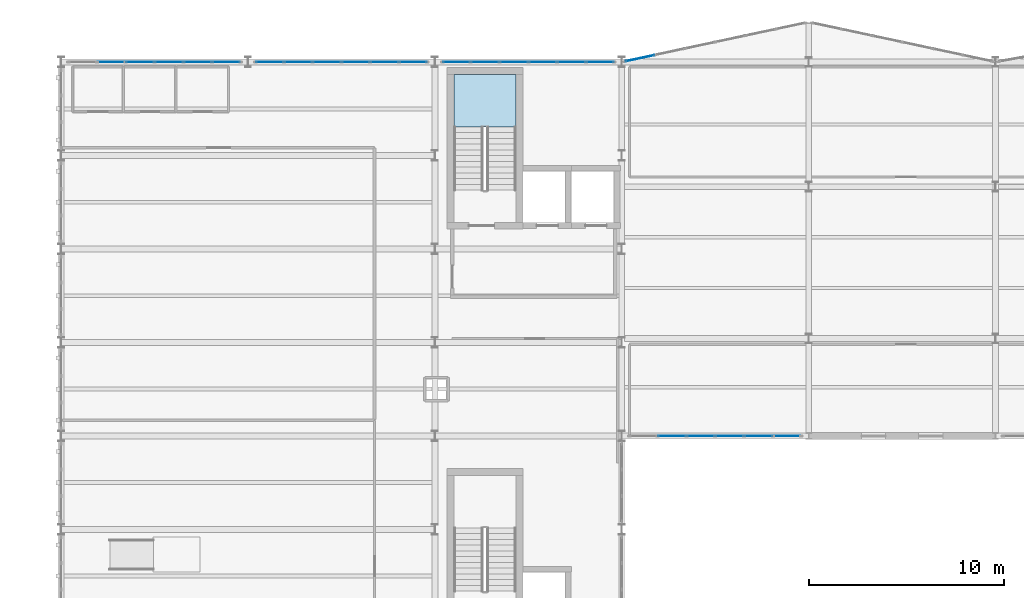
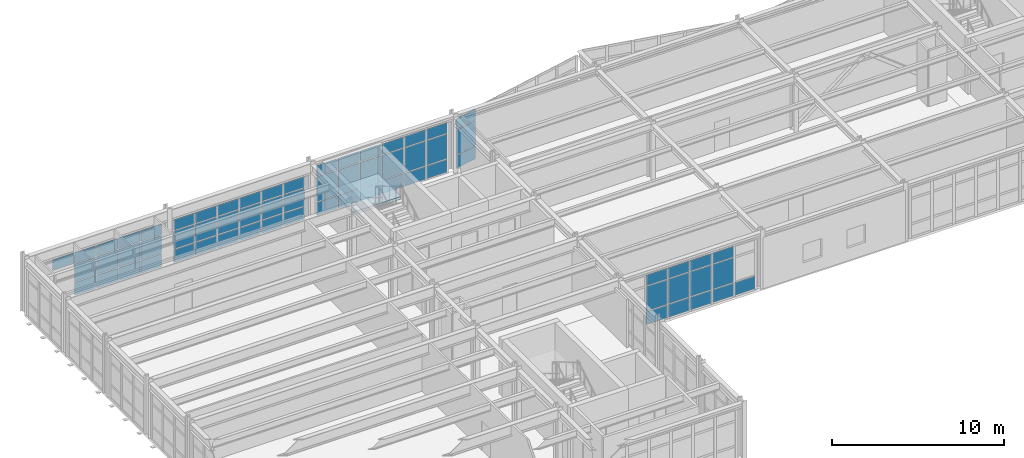
# One storey, part 52 of 76: 65 plates, 1 slab, 6 elements without a shape of their own.
"""IFC4 building model written with IfcOpenShell, lengths in metres."""

from ifc_helpers import new_model, si_unit, direction, frame, origin, origin_2d, place, context, subcontext, project, spatial, polyline, rectangle, outline, extrude, material, layer, layer_set, type_object, element, aggregate, save


model = new_model("IFC4")

# Units and contexts
model_context = context("Model", 3, precision=1e-05, world=origin(), true_north=direction((0.0, 1.0)))
body_context = subcontext(model_context, "Body", "Model", "MODEL_VIEW")
ifc_project = project(units=[si_unit("LENGTHUNIT", "METRE"), si_unit("AREAUNIT", "SQUARE_METRE"), si_unit("VOLUMEUNIT", "CUBIC_METRE"), si_unit("PLANEANGLEUNIT", "RADIAN"), si_unit("MASSUNIT", "GRAM", prefix="KILO")], contexts=[model_context])

# Site, building, storey
site_placement = place(None, origin())
site = spatial("IfcSite", under=ifc_project, at=site_placement, CompositionType="ELEMENT")
building_placement = place(site_placement, origin())
building = spatial("IfcBuilding", under=site, at=building_placement, Name="Nordkorset Police Headquarters", CompositionType="ELEMENT")
storey_placement = place(building_placement, frame((0.0, 0.0, 13.64990234375)))
storey = spatial("IfcBuildingStorey", under=building, at=storey_placement, Name="L03", CompositionType="ELEMENT", Elevation=13.64990234375)

# Curtain wall, plates
ifc_material_1 = material(Name="Aluminium alloy AW-6060", Category="aluminium")
ifc_layer_1 = layer(ifc_material_1, 0.179931640625, Name="Aluminium alloy AW-6060")
ifc_layer_set_1 = layer_set([ifc_layer_1], Name="Aluminium alloy AW-6060")
curtain_wall_type_1 = type_object("IfcCurtainWallType", Name="CW_Unit_888x316", PredefinedType="USERDEFINED", material=ifc_layer_set_1)
curtain_wall_1_placement = place(storey_placement, origin())
curtain_wall_1 = element("IfcCurtainWall", 1, at=curtain_wall_1_placement, inside=storey, type_object=curtain_wall_type_1, Name="Unitised Curtain Wall L03 V1N-0", ObjectType="UNITISED CURTAIN WALL", PredefinedType="USERDEFINED")
ifc_material_2 = material(Name="Low-iron triple glazing", Category="glass")
ifc_layer_2 = layer(ifc_material_2, 0.035888671875, Name="Low-iron triple glazing")
ifc_layer_set_2 = layer_set([ifc_layer_2], Name="Low-iron triple glazing")
plate_type = type_object("IfcPlateType", Name="CW_Panel_TripleGlazing_36", PredefinedType="CURTAIN_PANEL", material=ifc_layer_set_2)
plate_1_placement = place(storey_placement, frame((2.580078125, 116.800048828125, 2.342529296875), z_axis=(0.0, 0.0, 1.0), x_axis=(1.0, 0.0, 0.0)))
plate_1 = element("IfcPlate", 2, at=plate_1_placement, type_object=plate_type, Name="CW-109 panel 2.3", PredefinedType="CURTAIN_PANEL", context=body_context, shape_type="SweptSolid", body=[
    extrude(rectangle(XDim=1.4150390625, YDim=0.035888671875, at=origin_2d()), origin(), (0.0, 0.0, 1.0), 0.75244140625),
])
plate_2_placement = place(storey_placement, frame((4.06005859375, 116.800048828125, 0.06494140625), z_axis=(0.0, 0.0, 1.0), x_axis=(1.0, 0.0, 0.0)))
plate_2 = element("IfcPlate", 3, at=plate_2_placement, type_object=plate_type, Name="CW-109 panel 3.1", PredefinedType="CURTAIN_PANEL", context=body_context, shape_type="SweptSolid", body=[
    extrude(rectangle(XDim=1.4150390625, YDim=0.035888671875, at=origin_2d()), origin(), (0.0, 0.0, 1.0), 0.902587890625),
])
plate_3_placement = place(storey_placement, frame((4.06005859375, 116.800048828125, 1.032470703125), z_axis=(0.0, 0.0, 1.0), x_axis=(1.0, 0.0, 0.0)))
plate_3 = element("IfcPlate", 4, at=plate_3_placement, type_object=plate_type, Name="CW-109 panel 3.2", PredefinedType="CURTAIN_PANEL", context=body_context, shape_type="SweptSolid", body=[
    extrude(rectangle(XDim=1.4150390625, YDim=0.035888671875, at=origin_2d()), origin(), (0.0, 0.0, 1.0), 1.2451171875),
])
plate_4_placement = place(storey_placement, frame((4.06005859375, 116.800048828125, 2.342529296875), z_axis=(0.0, 0.0, 1.0), x_axis=(1.0, 0.0, 0.0)))
plate_4 = element("IfcPlate", 5, at=plate_4_placement, type_object=plate_type, Name="CW-109 panel 3.3", PredefinedType="CURTAIN_PANEL", context=body_context, shape_type="SweptSolid", body=[
    extrude(rectangle(XDim=1.4150390625, YDim=0.035888671875, at=origin_2d()), origin(), (0.0, 0.0, 1.0), 0.75244140625),
])
plate_5_placement = place(storey_placement, frame((5.5400390625, 116.800048828125, 0.06494140625), z_axis=(0.0, 0.0, 1.0), x_axis=(1.0, 0.0, 0.0)))
plate_5 = element("IfcPlate", 6, at=plate_5_placement, type_object=plate_type, Name="CW-109 panel 4.1", PredefinedType="CURTAIN_PANEL", context=body_context, shape_type="SweptSolid", body=[
    extrude(rectangle(XDim=1.4150390625, YDim=0.035888671875, at=origin_2d()), origin(), (0.0, 0.0, 1.0), 0.902587890625),
])
plate_6_placement = place(storey_placement, frame((5.5400390625, 116.800048828125, 1.032470703125), z_axis=(0.0, 0.0, 1.0), x_axis=(1.0, 0.0, 0.0)))
plate_6 = element("IfcPlate", 7, at=plate_6_placement, type_object=plate_type, Name="CW-109 panel 4.2", PredefinedType="CURTAIN_PANEL", context=body_context, shape_type="SweptSolid", body=[
    extrude(rectangle(XDim=1.4150390625, YDim=0.035888671875, at=origin_2d()), origin(), (0.0, 0.0, 1.0), 1.2451171875),
])
plate_7_placement = place(storey_placement, frame((5.5400390625, 116.800048828125, 2.342529296875), z_axis=(0.0, 0.0, 1.0), x_axis=(1.0, 0.0, 0.0)))
plate_7 = element("IfcPlate", 8, at=plate_7_placement, type_object=plate_type, Name="CW-109 panel 4.3", PredefinedType="CURTAIN_PANEL", context=body_context, shape_type="SweptSolid", body=[
    extrude(rectangle(XDim=1.4150390625, YDim=0.035888671875, at=origin_2d()), origin(), (0.0, 0.0, 1.0), 0.75244140625),
])
plate_8_placement = place(storey_placement, frame((7.02001953125, 116.800048828125, 0.06494140625), z_axis=(0.0, 0.0, 1.0), x_axis=(1.0, 0.0, 0.0)))
plate_8 = element("IfcPlate", 9, at=plate_8_placement, type_object=plate_type, Name="CW-109 panel 5.1", PredefinedType="CURTAIN_PANEL", context=body_context, shape_type="SweptSolid", body=[
    extrude(rectangle(XDim=1.4150390625, YDim=0.035888671875, at=origin_2d()), origin(), (0.0, 0.0, 1.0), 0.902587890625),
])
plate_9_placement = place(storey_placement, frame((7.02001953125, 116.800048828125, 1.032470703125), z_axis=(0.0, 0.0, 1.0), x_axis=(1.0, 0.0, 0.0)))
plate_9 = element("IfcPlate", 10, at=plate_9_placement, type_object=plate_type, Name="CW-109 panel 5.2", PredefinedType="CURTAIN_PANEL", context=body_context, shape_type="SweptSolid", body=[
    extrude(rectangle(XDim=1.4150390625, YDim=0.035888671875, at=origin_2d()), origin(), (0.0, 0.0, 1.0), 1.2451171875),
])
plate_10_placement = place(storey_placement, frame((7.02001953125, 116.800048828125, 2.342529296875), z_axis=(0.0, 0.0, 1.0), x_axis=(1.0, 0.0, 0.0)))
plate_10 = element("IfcPlate", 11, at=plate_10_placement, type_object=plate_type, Name="CW-109 panel 5.3", PredefinedType="CURTAIN_PANEL", context=body_context, shape_type="SweptSolid", body=[
    extrude(rectangle(XDim=1.4150390625, YDim=0.035888671875, at=origin_2d()), origin(), (0.0, 0.0, 1.0), 0.75244140625),
])
plate_11_placement = place(storey_placement, frame((8.483642578125, 116.800048828125, 0.06494140625), z_axis=(0.0, 0.0, 1.0), x_axis=(1.0, 0.0, 0.0)))
plate_11 = element("IfcPlate", 12, at=plate_11_placement, type_object=plate_type, Name="CW-109 panel 6.1", PredefinedType="CURTAIN_PANEL", context=body_context, shape_type="SweptSolid", body=[
    extrude(rectangle(XDim=1.382568359375, YDim=0.035888671875, at=origin_2d()), origin(), (0.0, 0.0, 1.0), 0.902587890625),
])
plate_12_placement = place(storey_placement, frame((8.483642578125, 116.800048828125, 1.032470703125), z_axis=(0.0, 0.0, 1.0), x_axis=(1.0, 0.0, 0.0)))
plate_12 = element("IfcPlate", 13, at=plate_12_placement, type_object=plate_type, Name="CW-109 panel 6.2", PredefinedType="CURTAIN_PANEL", context=body_context, shape_type="SweptSolid", body=[
    extrude(rectangle(XDim=1.382568359375, YDim=0.035888671875, at=origin_2d()), origin(), (0.0, 0.0, 1.0), 1.2451171875),
])
plate_13_placement = place(storey_placement, frame((8.483642578125, 116.800048828125, 2.342529296875), z_axis=(0.0, 0.0, 1.0), x_axis=(1.0, 0.0, 0.0)))
plate_13 = element("IfcPlate", 14, at=plate_13_placement, type_object=plate_type, Name="CW-109 panel 6.3", PredefinedType="CURTAIN_PANEL", context=body_context, shape_type="SweptSolid", body=[
    extrude(rectangle(XDim=1.382568359375, YDim=0.035888671875, at=origin_2d()), origin(), (0.0, 0.0, 1.0), 0.75244140625),
])
aggregate(curtain_wall_1, [plate_1, plate_2, plate_3, plate_4, plate_5, plate_6, plate_7, plate_8, plate_9, plate_10, plate_11, plate_12, plate_13])

curtain_wall_2_placement = place(storey_placement, origin())
curtain_wall_2 = element("IfcCurtainWall", 15, at=curtain_wall_2_placement, inside=storey, type_object=curtain_wall_type_1, Name="Unitised Curtain Wall L03 V1N-1", ObjectType="UNITISED CURTAIN WALL", PredefinedType="USERDEFINED")
plate_14_placement = place(storey_placement, frame((10.71630859375, 116.800048828125, 0.06494140625), z_axis=(0.0, 0.0, 1.0), x_axis=(1.0, 0.0, 0.0)))
plate_14 = element("IfcPlate", 16, at=plate_14_placement, type_object=plate_type, Name="CW-109 panel 1.1", PredefinedType="CURTAIN_PANEL", context=body_context, shape_type="SweptSolid", body=[
    extrude(rectangle(XDim=1.382568359375, YDim=0.035888671875, at=origin_2d()), origin(), (0.0, 0.0, 1.0), 0.902587890625),
])
plate_15_placement = place(storey_placement, frame((10.71630859375, 116.800048828125, 1.032470703125), z_axis=(0.0, 0.0, 1.0), x_axis=(1.0, 0.0, 0.0)))
plate_15 = element("IfcPlate", 17, at=plate_15_placement, type_object=plate_type, Name="CW-109 panel 1.2", PredefinedType="CURTAIN_PANEL", context=body_context, shape_type="SweptSolid", body=[
    extrude(rectangle(XDim=1.382568359375, YDim=0.035888671875, at=origin_2d()), origin(), (0.0, 0.0, 1.0), 1.2451171875),
])
plate_16_placement = place(storey_placement, frame((10.71630859375, 116.800048828125, 2.342529296875), z_axis=(0.0, 0.0, 1.0), x_axis=(1.0, 0.0, 0.0)))
plate_16 = element("IfcPlate", 18, at=plate_16_placement, type_object=plate_type, Name="CW-109 panel 1.3", PredefinedType="CURTAIN_PANEL", context=body_context, shape_type="SweptSolid", body=[
    extrude(rectangle(XDim=1.382568359375, YDim=0.035888671875, at=origin_2d()), origin(), (0.0, 0.0, 1.0), 0.75244140625),
])
plate_17_placement = place(storey_placement, frame((12.179931640625, 116.800048828125, 0.06494140625), z_axis=(0.0, 0.0, 1.0), x_axis=(1.0, 0.0, 0.0)))
plate_17 = element("IfcPlate", 19, at=plate_17_placement, type_object=plate_type, Name="CW-109 panel 2.1", PredefinedType="CURTAIN_PANEL", context=body_context, shape_type="SweptSolid", body=[
    extrude(rectangle(XDim=1.4150390625, YDim=0.035888671875, at=origin_2d()), origin(), (0.0, 0.0, 1.0), 0.902587890625),
])
plate_18_placement = place(storey_placement, frame((12.179931640625, 116.800048828125, 1.032470703125), z_axis=(0.0, 0.0, 1.0), x_axis=(1.0, 0.0, 0.0)))
plate_18 = element("IfcPlate", 20, at=plate_18_placement, type_object=plate_type, Name="CW-109 panel 2.2", PredefinedType="CURTAIN_PANEL", context=body_context, shape_type="SweptSolid", body=[
    extrude(rectangle(XDim=1.4150390625, YDim=0.035888671875, at=origin_2d()), origin(), (0.0, 0.0, 1.0), 1.2451171875),
])
plate_19_placement = place(storey_placement, frame((12.179931640625, 116.800048828125, 2.342529296875), z_axis=(0.0, 0.0, 1.0), x_axis=(1.0, 0.0, 0.0)))
plate_19 = element("IfcPlate", 21, at=plate_19_placement, type_object=plate_type, Name="CW-109 panel 2.3", PredefinedType="CURTAIN_PANEL", context=body_context, shape_type="SweptSolid", body=[
    extrude(rectangle(XDim=1.4150390625, YDim=0.035888671875, at=origin_2d()), origin(), (0.0, 0.0, 1.0), 0.75244140625),
])
plate_20_placement = place(storey_placement, frame((13.659912109375, 116.800048828125, 0.06494140625), z_axis=(0.0, 0.0, 1.0), x_axis=(1.0, 0.0, 0.0)))
plate_20 = element("IfcPlate", 22, at=plate_20_placement, type_object=plate_type, Name="CW-109 panel 3.1", PredefinedType="CURTAIN_PANEL", context=body_context, shape_type="SweptSolid", body=[
    extrude(rectangle(XDim=1.4150390625, YDim=0.035888671875, at=origin_2d()), origin(), (0.0, 0.0, 1.0), 0.902587890625),
])
plate_21_placement = place(storey_placement, frame((13.659912109375, 116.800048828125, 1.032470703125), z_axis=(0.0, 0.0, 1.0), x_axis=(1.0, 0.0, 0.0)))
plate_21 = element("IfcPlate", 23, at=plate_21_placement, type_object=plate_type, Name="CW-109 panel 3.2", PredefinedType="CURTAIN_PANEL", context=body_context, shape_type="SweptSolid", body=[
    extrude(rectangle(XDim=1.4150390625, YDim=0.035888671875, at=origin_2d()), origin(), (0.0, 0.0, 1.0), 1.2451171875),
])
plate_22_placement = place(storey_placement, frame((13.659912109375, 116.800048828125, 2.342529296875), z_axis=(0.0, 0.0, 1.0), x_axis=(1.0, 0.0, 0.0)))
plate_22 = element("IfcPlate", 24, at=plate_22_placement, type_object=plate_type, Name="CW-109 panel 3.3", PredefinedType="CURTAIN_PANEL", context=body_context, shape_type="SweptSolid", body=[
    extrude(rectangle(XDim=1.4150390625, YDim=0.035888671875, at=origin_2d()), origin(), (0.0, 0.0, 1.0), 0.75244140625),
])
plate_23_placement = place(storey_placement, frame((15.139892578125, 116.800048828125, 0.06494140625), z_axis=(0.0, 0.0, 1.0), x_axis=(1.0, 0.0, 0.0)))
plate_23 = element("IfcPlate", 25, at=plate_23_placement, type_object=plate_type, Name="CW-109 panel 4.1", PredefinedType="CURTAIN_PANEL", context=body_context, shape_type="SweptSolid", body=[
    extrude(rectangle(XDim=1.4150390625, YDim=0.035888671875, at=origin_2d()), origin(), (0.0, 0.0, 1.0), 0.902587890625),
])
plate_24_placement = place(storey_placement, frame((15.139892578125, 116.800048828125, 1.032470703125), z_axis=(0.0, 0.0, 1.0), x_axis=(1.0, 0.0, 0.0)))
plate_24 = element("IfcPlate", 26, at=plate_24_placement, type_object=plate_type, Name="CW-109 panel 4.2", PredefinedType="CURTAIN_PANEL", context=body_context, shape_type="SweptSolid", body=[
    extrude(rectangle(XDim=1.4150390625, YDim=0.035888671875, at=origin_2d()), origin(), (0.0, 0.0, 1.0), 1.2451171875),
])
plate_25_placement = place(storey_placement, frame((15.139892578125, 116.800048828125, 2.342529296875), z_axis=(0.0, 0.0, 1.0), x_axis=(1.0, 0.0, 0.0)))
plate_25 = element("IfcPlate", 27, at=plate_25_placement, type_object=plate_type, Name="CW-109 panel 4.3", PredefinedType="CURTAIN_PANEL", context=body_context, shape_type="SweptSolid", body=[
    extrude(rectangle(XDim=1.4150390625, YDim=0.035888671875, at=origin_2d()), origin(), (0.0, 0.0, 1.0), 0.75244140625),
])
plate_26_placement = place(storey_placement, frame((16.6201171875, 116.800048828125, 0.06494140625), z_axis=(0.0, 0.0, 1.0), x_axis=(1.0, 0.0, 0.0)))
plate_26 = element("IfcPlate", 28, at=plate_26_placement, type_object=plate_type, Name="CW-109 panel 5.1", PredefinedType="CURTAIN_PANEL", context=body_context, shape_type="SweptSolid", body=[
    extrude(rectangle(XDim=1.4150390625, YDim=0.035888671875, at=origin_2d()), origin(), (0.0, 0.0, 1.0), 0.902587890625),
])
plate_27_placement = place(storey_placement, frame((16.6201171875, 116.800048828125, 1.032470703125), z_axis=(0.0, 0.0, 1.0), x_axis=(1.0, 0.0, 0.0)))
plate_27 = element("IfcPlate", 29, at=plate_27_placement, type_object=plate_type, Name="CW-109 panel 5.2", PredefinedType="CURTAIN_PANEL", context=body_context, shape_type="SweptSolid", body=[
    extrude(rectangle(XDim=1.4150390625, YDim=0.035888671875, at=origin_2d()), origin(), (0.0, 0.0, 1.0), 1.2451171875),
])
plate_28_placement = place(storey_placement, frame((16.6201171875, 116.800048828125, 2.342529296875), z_axis=(0.0, 0.0, 1.0), x_axis=(1.0, 0.0, 0.0)))
plate_28 = element("IfcPlate", 30, at=plate_28_placement, type_object=plate_type, Name="CW-109 panel 5.3", PredefinedType="CURTAIN_PANEL", context=body_context, shape_type="SweptSolid", body=[
    extrude(rectangle(XDim=1.4150390625, YDim=0.035888671875, at=origin_2d()), origin(), (0.0, 0.0, 1.0), 0.75244140625),
])
plate_29_placement = place(storey_placement, frame((18.083740234375, 116.800048828125, 0.06494140625), z_axis=(0.0, 0.0, 1.0), x_axis=(1.0, 0.0, 0.0)))
plate_29 = element("IfcPlate", 31, at=plate_29_placement, type_object=plate_type, Name="CW-109 panel 6.1", PredefinedType="CURTAIN_PANEL", context=body_context, shape_type="SweptSolid", body=[
    extrude(rectangle(XDim=1.382568359375, YDim=0.035888671875, at=origin_2d()), origin(), (0.0, 0.0, 1.0), 0.902587890625),
])
plate_30_placement = place(storey_placement, frame((18.083740234375, 116.800048828125, 1.032470703125), z_axis=(0.0, 0.0, 1.0), x_axis=(1.0, 0.0, 0.0)))
plate_30 = element("IfcPlate", 32, at=plate_30_placement, type_object=plate_type, Name="CW-109 panel 6.2", PredefinedType="CURTAIN_PANEL", context=body_context, shape_type="SweptSolid", body=[
    extrude(rectangle(XDim=1.382568359375, YDim=0.035888671875, at=origin_2d()), origin(), (0.0, 0.0, 1.0), 1.2451171875),
])
plate_31_placement = place(storey_placement, frame((18.083740234375, 116.800048828125, 2.342529296875), z_axis=(0.0, 0.0, 1.0), x_axis=(1.0, 0.0, 0.0)))
plate_31 = element("IfcPlate", 33, at=plate_31_placement, type_object=plate_type, Name="CW-109 panel 6.3", PredefinedType="CURTAIN_PANEL", context=body_context, shape_type="SweptSolid", body=[
    extrude(rectangle(XDim=1.382568359375, YDim=0.035888671875, at=origin_2d()), origin(), (0.0, 0.0, 1.0), 0.75244140625),
])
aggregate(curtain_wall_2, [plate_14, plate_15, plate_16, plate_17, plate_18, plate_19, plate_20, plate_21, plate_22, plate_23, plate_24, plate_25, plate_26, plate_27, plate_28, plate_29, plate_30, plate_31])

ifc_material_3 = material(Name="Aluminium alloy AW-6060", Category="aluminium")
ifc_layer_3 = layer(ifc_material_3, 0.179931640625, Name="Aluminium alloy AW-6060")
ifc_layer_set_3 = layer_set([ifc_layer_3], Name="Aluminium alloy AW-6060")
curtain_wall_type_2 = type_object("IfcCurtainWallType", Name="CW_Unit_888x365", PredefinedType="USERDEFINED", material=ifc_layer_set_3)
curtain_wall_3_placement = place(storey_placement, origin())
curtain_wall_3 = element("IfcCurtainWall", 34, at=curtain_wall_3_placement, inside=storey, type_object=curtain_wall_type_2, Name="Unitised Curtain Wall L03 V1N-2", ObjectType="UNITISED CURTAIN WALL", PredefinedType="USERDEFINED")
plate_32_placement = place(storey_placement, frame((20.316162109375, 116.800048828125, 0.06494140625), z_axis=(0.0, 0.0, 1.0), x_axis=(1.0, 0.0, 0.0)))
plate_32 = element("IfcPlate", 35, at=plate_32_placement, type_object=plate_type, Name="CW-26 panel 1.1", PredefinedType="CURTAIN_PANEL", context=body_context, shape_type="SweptSolid", body=[
    extrude(rectangle(XDim=1.382568359375, YDim=0.035888671875, at=origin_2d()), origin(), (0.0, 0.0, 1.0), 0.902587890625),
])
plate_33_placement = place(storey_placement, frame((20.316162109375, 116.800048828125, 1.03271484375), z_axis=(0.0, 0.0, 1.0), x_axis=(1.0, 0.0, 0.0)))
plate_33 = element("IfcPlate", 36, at=plate_33_placement, type_object=plate_type, Name="CW-26 panel 1.2", PredefinedType="CURTAIN_PANEL", context=body_context, shape_type="SweptSolid", body=[
    extrude(rectangle(XDim=1.382568359375, YDim=0.035888671875, at=origin_2d()), origin(), (0.0, 0.0, 1.0), 1.735107421875),
])
plate_34_placement = place(storey_placement, frame((20.316162109375, 116.800048828125, 2.83251953125), z_axis=(0.0, 0.0, 1.0), x_axis=(1.0, 0.0, 0.0)))
plate_34 = element("IfcPlate", 37, at=plate_34_placement, type_object=plate_type, Name="CW-26 panel 1.3", PredefinedType="CURTAIN_PANEL", context=body_context, shape_type="SweptSolid", body=[
    extrude(rectangle(XDim=1.382568359375, YDim=0.035888671875, at=origin_2d()), origin(), (0.0, 0.0, 1.0), 0.75244140625),
])
plate_35_placement = place(storey_placement, frame((21.780029296875, 116.800048828125, 0.06494140625), z_axis=(0.0, 0.0, 1.0), x_axis=(1.0, 0.0, 0.0)))
plate_35 = element("IfcPlate", 38, at=plate_35_placement, type_object=plate_type, Name="CW-26 panel 2.1", PredefinedType="CURTAIN_PANEL", context=body_context, shape_type="SweptSolid", body=[
    extrude(rectangle(XDim=1.4150390625, YDim=0.035888671875, at=origin_2d()), origin(), (0.0, 0.0, 1.0), 0.902587890625),
])
plate_36_placement = place(storey_placement, frame((21.780029296875, 116.800048828125, 1.03271484375), z_axis=(0.0, 0.0, 1.0), x_axis=(1.0, 0.0, 0.0)))
plate_36 = element("IfcPlate", 39, at=plate_36_placement, type_object=plate_type, Name="CW-26 panel 2.2", PredefinedType="CURTAIN_PANEL", context=body_context, shape_type="SweptSolid", body=[
    extrude(rectangle(XDim=1.4150390625, YDim=0.035888671875, at=origin_2d()), origin(), (0.0, 0.0, 1.0), 1.735107421875),
])
plate_37_placement = place(storey_placement, frame((21.780029296875, 116.800048828125, 2.83251953125), z_axis=(0.0, 0.0, 1.0), x_axis=(1.0, 0.0, 0.0)))
plate_37 = element("IfcPlate", 40, at=plate_37_placement, type_object=plate_type, Name="CW-26 panel 2.3", PredefinedType="CURTAIN_PANEL", context=body_context, shape_type="SweptSolid", body=[
    extrude(rectangle(XDim=1.4150390625, YDim=0.035888671875, at=origin_2d()), origin(), (0.0, 0.0, 1.0), 0.75244140625),
])
plate_38_placement = place(storey_placement, frame((23.260009765625, 116.800048828125, 0.06494140625), z_axis=(0.0, 0.0, 1.0), x_axis=(1.0, 0.0, 0.0)))
plate_38 = element("IfcPlate", 41, at=plate_38_placement, type_object=plate_type, Name="CW-26 panel 3.1", PredefinedType="CURTAIN_PANEL", context=body_context, shape_type="SweptSolid", body=[
    extrude(rectangle(XDim=1.4150390625, YDim=0.035888671875, at=origin_2d()), origin(), (0.0, 0.0, 1.0), 0.902587890625),
])
plate_39_placement = place(storey_placement, frame((23.260009765625, 116.800048828125, 1.03271484375), z_axis=(0.0, 0.0, 1.0), x_axis=(1.0, 0.0, 0.0)))
plate_39 = element("IfcPlate", 42, at=plate_39_placement, type_object=plate_type, Name="CW-26 panel 3.2", PredefinedType="CURTAIN_PANEL", context=body_context, shape_type="SweptSolid", body=[
    extrude(rectangle(XDim=1.4150390625, YDim=0.035888671875, at=origin_2d()), origin(), (0.0, 0.0, 1.0), 1.735107421875),
])
plate_40_placement = place(storey_placement, frame((23.260009765625, 116.800048828125, 2.83251953125), z_axis=(0.0, 0.0, 1.0), x_axis=(1.0, 0.0, 0.0)))
plate_40 = element("IfcPlate", 43, at=plate_40_placement, type_object=plate_type, Name="CW-26 panel 3.3", PredefinedType="CURTAIN_PANEL", context=body_context, shape_type="SweptSolid", body=[
    extrude(rectangle(XDim=1.4150390625, YDim=0.035888671875, at=origin_2d()), origin(), (0.0, 0.0, 1.0), 0.75244140625),
])
plate_41_placement = place(storey_placement, frame((24.739990234375, 116.800048828125, 0.06494140625), z_axis=(0.0, 0.0, 1.0), x_axis=(1.0, 0.0, 0.0)))
plate_41 = element("IfcPlate", 44, at=plate_41_placement, type_object=plate_type, Name="CW-26 panel 4.1", PredefinedType="CURTAIN_PANEL", context=body_context, shape_type="SweptSolid", body=[
    extrude(rectangle(XDim=1.4150390625, YDim=0.035888671875, at=origin_2d()), origin(), (0.0, 0.0, 1.0), 0.902587890625),
])
plate_42_placement = place(storey_placement, frame((24.739990234375, 116.800048828125, 1.03271484375), z_axis=(0.0, 0.0, 1.0), x_axis=(1.0, 0.0, 0.0)))
plate_42 = element("IfcPlate", 45, at=plate_42_placement, type_object=plate_type, Name="CW-26 panel 4.2", PredefinedType="CURTAIN_PANEL", context=body_context, shape_type="SweptSolid", body=[
    extrude(rectangle(XDim=1.4150390625, YDim=0.035888671875, at=origin_2d()), origin(), (0.0, 0.0, 1.0), 1.735107421875),
])
plate_43_placement = place(storey_placement, frame((24.739990234375, 116.800048828125, 2.83251953125), z_axis=(0.0, 0.0, 1.0), x_axis=(1.0, 0.0, 0.0)))
plate_43 = element("IfcPlate", 46, at=plate_43_placement, type_object=plate_type, Name="CW-26 panel 4.3", PredefinedType="CURTAIN_PANEL", context=body_context, shape_type="SweptSolid", body=[
    extrude(rectangle(XDim=1.4150390625, YDim=0.035888671875, at=origin_2d()), origin(), (0.0, 0.0, 1.0), 0.75244140625),
])
plate_44_placement = place(storey_placement, frame((26.219970703125, 116.800048828125, 0.06494140625), z_axis=(0.0, 0.0, 1.0), x_axis=(1.0, 0.0, 0.0)))
plate_44 = element("IfcPlate", 47, at=plate_44_placement, type_object=plate_type, Name="CW-26 panel 5.1", PredefinedType="CURTAIN_PANEL", context=body_context, shape_type="SweptSolid", body=[
    extrude(rectangle(XDim=1.4150390625, YDim=0.035888671875, at=origin_2d()), origin(), (0.0, 0.0, 1.0), 0.902587890625),
])
plate_45_placement = place(storey_placement, frame((26.219970703125, 116.800048828125, 1.03271484375), z_axis=(0.0, 0.0, 1.0), x_axis=(1.0, 0.0, 0.0)))
plate_45 = element("IfcPlate", 48, at=plate_45_placement, type_object=plate_type, Name="CW-26 panel 5.2", PredefinedType="CURTAIN_PANEL", context=body_context, shape_type="SweptSolid", body=[
    extrude(rectangle(XDim=1.4150390625, YDim=0.035888671875, at=origin_2d()), origin(), (0.0, 0.0, 1.0), 1.735107421875),
])
plate_46_placement = place(storey_placement, frame((26.219970703125, 116.800048828125, 2.83251953125), z_axis=(0.0, 0.0, 1.0), x_axis=(1.0, 0.0, 0.0)))
plate_46 = element("IfcPlate", 49, at=plate_46_placement, type_object=plate_type, Name="CW-26 panel 5.3", PredefinedType="CURTAIN_PANEL", context=body_context, shape_type="SweptSolid", body=[
    extrude(rectangle(XDim=1.4150390625, YDim=0.035888671875, at=origin_2d()), origin(), (0.0, 0.0, 1.0), 0.75244140625),
])
plate_47_placement = place(storey_placement, frame((27.683837890625, 116.800048828125, 0.06494140625), z_axis=(0.0, 0.0, 1.0), x_axis=(1.0, 0.0, 0.0)))
plate_47 = element("IfcPlate", 50, at=plate_47_placement, type_object=plate_type, Name="CW-26 panel 6.1", PredefinedType="CURTAIN_PANEL", context=body_context, shape_type="SweptSolid", body=[
    extrude(rectangle(XDim=1.382568359375, YDim=0.035888671875, at=origin_2d()), origin(), (0.0, 0.0, 1.0), 0.902587890625),
])
plate_48_placement = place(storey_placement, frame((27.683837890625, 116.800048828125, 1.03271484375), z_axis=(0.0, 0.0, 1.0), x_axis=(1.0, 0.0, 0.0)))
plate_48 = element("IfcPlate", 51, at=plate_48_placement, type_object=plate_type, Name="CW-26 panel 6.2", PredefinedType="CURTAIN_PANEL", context=body_context, shape_type="SweptSolid", body=[
    extrude(rectangle(XDim=1.382568359375, YDim=0.035888671875, at=origin_2d()), origin(), (0.0, 0.0, 1.0), 1.735107421875),
])
plate_49_placement = place(storey_placement, frame((27.683837890625, 116.800048828125, 2.83251953125), z_axis=(0.0, 0.0, 1.0), x_axis=(1.0, 0.0, 0.0)))
plate_49 = element("IfcPlate", 52, at=plate_49_placement, type_object=plate_type, Name="CW-26 panel 6.3", PredefinedType="CURTAIN_PANEL", context=body_context, shape_type="SweptSolid", body=[
    extrude(rectangle(XDim=1.382568359375, YDim=0.035888671875, at=origin_2d()), origin(), (0.0, 0.0, 1.0), 0.75244140625),
])
aggregate(curtain_wall_3, [plate_32, plate_33, plate_34, plate_35, plate_36, plate_37, plate_38, plate_39, plate_40, plate_41, plate_42, plate_43, plate_44, plate_45, plate_46, plate_47, plate_48, plate_49])

ifc_material_4 = material(Name="Aluminium alloy AW-6060", Category="aluminium")
ifc_layer_4 = layer(ifc_material_4, 0.179931640625, Name="Aluminium alloy AW-6060")
ifc_layer_set_4 = layer_set([ifc_layer_4], Name="Aluminium alloy AW-6060")
curtain_wall_type_3 = type_object("IfcCurtainWallType", Name="CW_Unit_954x365", PredefinedType="USERDEFINED", material=ifc_layer_set_4)
curtain_wall_4_placement = place(storey_placement, origin())
curtain_wall_4 = element("IfcCurtainWall", 53, at=curtain_wall_4_placement, inside=storey, type_object=curtain_wall_type_3, Name="Unitised Curtain Wall L03 V2N-0", ObjectType="UNITISED CURTAIN WALL", PredefinedType="USERDEFINED")
plate_50_placement = place(storey_placement, frame((29.72998046875, 116.99853515625, 0.06494140625), z_axis=(0.0, 0.0, 1.0), x_axis=(0.977951416289, 0.208832534289, 0.0)))
plate_50 = element("IfcPlate", 54, at=plate_50_placement, type_object=plate_type, Name="CW-83 panel 1.1", PredefinedType="CURTAIN_PANEL", context=body_context, shape_type="SweptSolid", body=[
    extrude(rectangle(XDim=1.491943359375, YDim=0.035888671875, at=origin_2d()), origin(), (0.0, 0.0, 1.0), 0.902587890625),
])
plate_51_placement = place(storey_placement, frame((29.72998046875, 116.99853515625, 1.03271484375), z_axis=(0.0, 0.0, 1.0), x_axis=(0.977951416289, 0.208832534289, 0.0)))
plate_51 = element("IfcPlate", 55, at=plate_51_placement, type_object=plate_type, Name="CW-83 panel 1.2", PredefinedType="CURTAIN_PANEL", context=body_context, shape_type="SweptSolid", body=[
    extrude(rectangle(XDim=1.491943359375, YDim=0.035888671875, at=origin_2d()), origin(), (0.0, 0.0, 1.0), 1.735107421875),
])
plate_52_placement = place(storey_placement, frame((29.72998046875, 116.99853515625, 2.83251953125), z_axis=(0.0, 0.0, 1.0), x_axis=(0.977951416289, 0.208832534289, 0.0)))
plate_52 = element("IfcPlate", 56, at=plate_52_placement, type_object=plate_type, Name="CW-83 panel 1.3", PredefinedType="CURTAIN_PANEL", context=body_context, shape_type="SweptSolid", body=[
    extrude(rectangle(XDim=1.491943359375, YDim=0.035888671875, at=origin_2d()), origin(), (0.0, 0.0, 1.0), 0.75244140625),
])
aggregate(curtain_wall_4, [plate_50, plate_51, plate_52])

curtain_wall_5_placement = place(storey_placement, origin())
curtain_wall_5 = element("IfcCurtainWall", 57, at=curtain_wall_5_placement, inside=storey, type_object=curtain_wall_type_2, Name="Unitised Curtain Wall L03 V2S-0", ObjectType="UNITISED CURTAIN WALL", PredefinedType="USERDEFINED")
plate_53_placement = place(storey_placement, frame((31.3798828125, 97.60009765625, 0.06494140625), z_axis=(0.0, 0.0, 1.0), x_axis=(1.0, 0.0, 0.0)))
plate_53 = element("IfcPlate", 58, at=plate_53_placement, type_object=plate_type, Name="CW-26 panel 2.1", PredefinedType="CURTAIN_PANEL", context=body_context, shape_type="SweptSolid", body=[
    extrude(rectangle(XDim=1.4150390625, YDim=0.035888671875, at=origin_2d()), origin(), (0.0, 0.0, 1.0), 0.902587890625),
])
plate_54_placement = place(storey_placement, frame((31.3798828125, 97.60009765625, 1.03271484375), z_axis=(0.0, 0.0, 1.0), x_axis=(1.0, 0.0, 0.0)))
plate_54 = element("IfcPlate", 59, at=plate_54_placement, type_object=plate_type, Name="CW-26 panel 2.2", PredefinedType="CURTAIN_PANEL", context=body_context, shape_type="SweptSolid", body=[
    extrude(rectangle(XDim=1.4150390625, YDim=0.035888671875, at=origin_2d()), origin(), (0.0, 0.0, 1.0), 1.735107421875),
])
plate_55_placement = place(storey_placement, frame((31.3798828125, 97.60009765625, 2.83251953125), z_axis=(0.0, 0.0, 1.0), x_axis=(1.0, 0.0, 0.0)))
plate_55 = element("IfcPlate", 60, at=plate_55_placement, type_object=plate_type, Name="CW-26 panel 2.3", PredefinedType="CURTAIN_PANEL", context=body_context, shape_type="SweptSolid", body=[
    extrude(rectangle(XDim=1.4150390625, YDim=0.035888671875, at=origin_2d()), origin(), (0.0, 0.0, 1.0), 0.75244140625),
])
plate_56_placement = place(storey_placement, frame((32.860107421875, 97.60009765625, 0.06494140625), z_axis=(0.0, 0.0, 1.0), x_axis=(1.0, 0.0, 0.0)))
plate_56 = element("IfcPlate", 61, at=plate_56_placement, type_object=plate_type, Name="CW-26 panel 3.1", PredefinedType="CURTAIN_PANEL", context=body_context, shape_type="SweptSolid", body=[
    extrude(rectangle(XDim=1.4150390625, YDim=0.035888671875, at=origin_2d()), origin(), (0.0, 0.0, 1.0), 0.902587890625),
])
plate_57_placement = place(storey_placement, frame((32.860107421875, 97.60009765625, 1.03271484375), z_axis=(0.0, 0.0, 1.0), x_axis=(1.0, 0.0, 0.0)))
plate_57 = element("IfcPlate", 62, at=plate_57_placement, type_object=plate_type, Name="CW-26 panel 3.2", PredefinedType="CURTAIN_PANEL", context=body_context, shape_type="SweptSolid", body=[
    extrude(rectangle(XDim=1.4150390625, YDim=0.035888671875, at=origin_2d()), origin(), (0.0, 0.0, 1.0), 1.735107421875),
])
plate_58_placement = place(storey_placement, frame((32.860107421875, 97.60009765625, 2.83251953125), z_axis=(0.0, 0.0, 1.0), x_axis=(1.0, 0.0, 0.0)))
plate_58 = element("IfcPlate", 63, at=plate_58_placement, type_object=plate_type, Name="CW-26 panel 3.3", PredefinedType="CURTAIN_PANEL", context=body_context, shape_type="SweptSolid", body=[
    extrude(rectangle(XDim=1.4150390625, YDim=0.035888671875, at=origin_2d()), origin(), (0.0, 0.0, 1.0), 0.75244140625),
])
plate_59_placement = place(storey_placement, frame((34.340087890625, 97.60009765625, 0.06494140625), z_axis=(0.0, 0.0, 1.0), x_axis=(1.0, 0.0, 0.0)))
plate_59 = element("IfcPlate", 64, at=plate_59_placement, type_object=plate_type, Name="CW-26 panel 4.1", PredefinedType="CURTAIN_PANEL", context=body_context, shape_type="SweptSolid", body=[
    extrude(rectangle(XDim=1.4150390625, YDim=0.035888671875, at=origin_2d()), origin(), (0.0, 0.0, 1.0), 0.902587890625),
])
plate_60_placement = place(storey_placement, frame((34.340087890625, 97.60009765625, 1.03271484375), z_axis=(0.0, 0.0, 1.0), x_axis=(1.0, 0.0, 0.0)))
plate_60 = element("IfcPlate", 65, at=plate_60_placement, type_object=plate_type, Name="CW-26 panel 4.2", PredefinedType="CURTAIN_PANEL", context=body_context, shape_type="SweptSolid", body=[
    extrude(rectangle(XDim=1.4150390625, YDim=0.035888671875, at=origin_2d()), origin(), (0.0, 0.0, 1.0), 1.735107421875),
])
plate_61_placement = place(storey_placement, frame((34.340087890625, 97.60009765625, 2.83251953125), z_axis=(0.0, 0.0, 1.0), x_axis=(1.0, 0.0, 0.0)))
plate_61 = element("IfcPlate", 66, at=plate_61_placement, type_object=plate_type, Name="CW-26 panel 4.3", PredefinedType="CURTAIN_PANEL", context=body_context, shape_type="SweptSolid", body=[
    extrude(rectangle(XDim=1.4150390625, YDim=0.035888671875, at=origin_2d()), origin(), (0.0, 0.0, 1.0), 0.75244140625),
])
plate_62_placement = place(storey_placement, frame((35.820068359375, 97.60009765625, 0.06494140625), z_axis=(0.0, 0.0, 1.0), x_axis=(1.0, 0.0, 0.0)))
plate_62 = element("IfcPlate", 67, at=plate_62_placement, type_object=plate_type, Name="CW-26 panel 5.1", PredefinedType="CURTAIN_PANEL", context=body_context, shape_type="SweptSolid", body=[
    extrude(rectangle(XDim=1.4150390625, YDim=0.035888671875, at=origin_2d()), origin(), (0.0, 0.0, 1.0), 0.902587890625),
])
plate_63_placement = place(storey_placement, frame((35.820068359375, 97.60009765625, 1.03271484375), z_axis=(0.0, 0.0, 1.0), x_axis=(1.0, 0.0, 0.0)))
plate_63 = element("IfcPlate", 68, at=plate_63_placement, type_object=plate_type, Name="CW-26 panel 5.2", PredefinedType="CURTAIN_PANEL", context=body_context, shape_type="SweptSolid", body=[
    extrude(rectangle(XDim=1.4150390625, YDim=0.035888671875, at=origin_2d()), origin(), (0.0, 0.0, 1.0), 1.735107421875),
])
plate_64_placement = place(storey_placement, frame((35.820068359375, 97.60009765625, 2.83251953125), z_axis=(0.0, 0.0, 1.0), x_axis=(1.0, 0.0, 0.0)))
plate_64 = element("IfcPlate", 69, at=plate_64_placement, type_object=plate_type, Name="CW-26 panel 5.3", PredefinedType="CURTAIN_PANEL", context=body_context, shape_type="SweptSolid", body=[
    extrude(rectangle(XDim=1.4150390625, YDim=0.035888671875, at=origin_2d()), origin(), (0.0, 0.0, 1.0), 0.75244140625),
])
plate_65_placement = place(storey_placement, frame((37.28369140625, 97.60009765625, 0.06494140625), z_axis=(0.0, 0.0, 1.0), x_axis=(1.0, 0.0, 0.0)))
plate_65 = element("IfcPlate", 70, at=plate_65_placement, type_object=plate_type, Name="CW-26 panel 6.1", PredefinedType="CURTAIN_PANEL", context=body_context, shape_type="SweptSolid", body=[
    extrude(rectangle(XDim=1.382568359375, YDim=0.035888671875, at=origin_2d()), origin(), (0.0, 0.0, 1.0), 0.902587890625),
])
aggregate(curtain_wall_5, [plate_53, plate_54, plate_55, plate_56, plate_57, plate_58, plate_59, plate_60, plate_61, plate_62, plate_63, plate_64, plate_65])

# Stair, slab
ifc_material_5 = material(Name="Concrete C35/45", Category="concrete")
stair_type = type_object("IfcStairType", Name="ST-42", PredefinedType="HALF_TURN_STAIR", material=ifc_material_5)
stair_placement = place(storey_placement, origin())
stair = element("IfcStair", 71, at=stair_placement, inside=storey, type_object=stair_type, Name="L03 Protected Escape Stair ST-01", PredefinedType="HALF_TURN_STAIR")
ifc_material_6 = material(Name="Concrete C35/45", Category="concrete")
ifc_layer_5 = layer(ifc_material_6, 0.199951171875, Name="Concrete C35/45")
ifc_layer_set_5 = layer_set([ifc_layer_5], Name="Concrete C35/45")
slab_type = type_object("IfcSlabType", Name="Slab_StairLanding_200", PredefinedType="LANDING", material=ifc_layer_set_5)
slab_placement = place(storey_placement, frame((0.0, 0.0, 1.900146484375)))
slab = element("IfcSlab", 72, at=slab_placement, type_object=slab_type, Name="ST-01 landing 1", PredefinedType="LANDING", context=body_context, shape_type="SweptSolid", body=[
    extrude(outline(polyline([(23.375, 113.469970703125), (23.375, 116.175048828125), (20.175048828125, 116.175048828125), (20.175048828125, 113.469970703125), (23.375, 113.469970703125)])), origin(), (0.0, 0.0, 1.0), 0.199951171875),
])
aggregate(stair, [slab])

save(model, "model.ifc")
